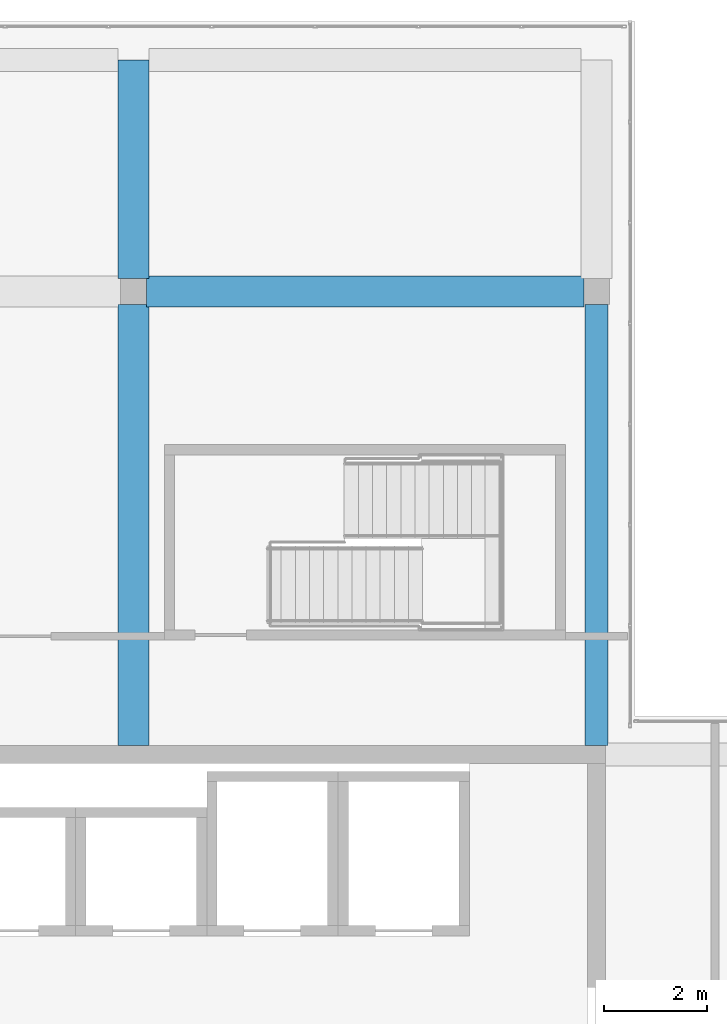
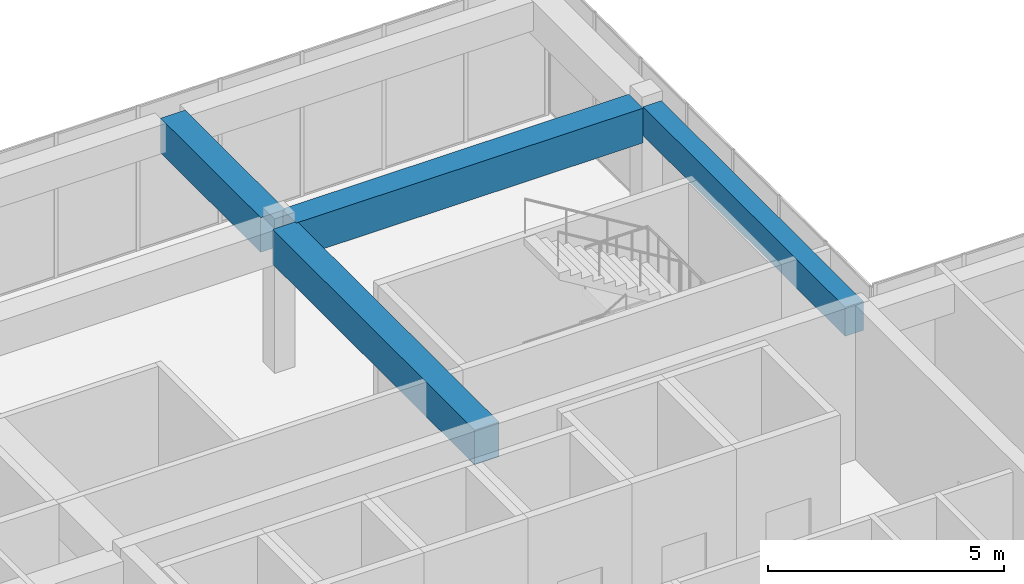
# One storey, part 24 of 34: 4 beams.
"""IFC4 building model written with IfcOpenShell, lengths in metres."""

from ifc_helpers import new_model, si_unit, direction, frame, origin, origin_2d, place, context, subcontext, project, spatial, rectangle, extrude, material, material_profile, profile_set, type_object, element, save


model = new_model("IFC4")

# Units and contexts
model_context = context("Model", 3, precision=1e-05, world=origin(), true_north=direction((0.0, 1.0)))
body_context = subcontext(model_context, "Body", "Model", "MODEL_VIEW")
ifc_project = project(units=[si_unit("LENGTHUNIT", "METRE"), si_unit("AREAUNIT", "SQUARE_METRE"), si_unit("VOLUMEUNIT", "CUBIC_METRE"), si_unit("PLANEANGLEUNIT", "RADIAN"), si_unit("MASSUNIT", "GRAM", prefix="KILO")], contexts=[model_context])

# Site, building, storey
site_placement = place(None, origin())
site = spatial("IfcSite", under=ifc_project, at=site_placement, CompositionType="ELEMENT")
building_placement = place(site_placement, origin())
building = spatial("IfcBuilding", under=site, at=building_placement, Name="Tuart Plaza Theatre", CompositionType="ELEMENT")
storey_placement = place(building_placement, frame((0.0, 0.0, 57.5)))
storey = spatial("IfcBuildingStorey", under=building, at=storey_placement, Name="L14", CompositionType="ELEMENT", Elevation=57.5)

# Beams
ifc_material_1 = material(Name="Concrete N40 (40 MPa)", Category="concrete")
ifc_material_profile_1 = material_profile(ifc_material_1, rectangle(XDim=0.449951171875, YDim=0.75, at=origin_2d()), Name="BEAM 450x750 Concrete N40 (40 MPa)")
ifc_profile_set_1 = profile_set([ifc_material_profile_1], Name="Concrete N40 (40 MPa)")
beam_type_1 = type_object("IfcBeamType", Name="BEAM 450x750 Concrete N40 (40 MPa)", PredefinedType="BEAM", material=ifc_profile_set_1)
beam_1_placement = place(storey_placement, frame((141.0, 83.175048828125, 3.375), z_axis=(0.0, 1.0, 0.0), x_axis=(-1.0, 0.0, 0.0)))
element("IfcBeam", 1, at=beam_1_placement, inside=storey, type_object=beam_type_1, Name="RB340", PredefinedType="BEAM", context=body_context, shape_type="SweptSolid", body=[
    extrude(rectangle(XDim=0.449951171875, YDim=0.75, at=origin_2d()), origin(), (0.0, 0.0, 1.0), 8.574951171875),
])
ifc_material_2 = material(Name="Concrete N40 (40 MPa)", Category="concrete")
ifc_material_profile_2 = material_profile(ifc_material_2, rectangle(XDim=0.60009765625, YDim=0.89990234375, at=origin_2d()), Name="BEAM 600x900 Concrete N40 (40 MPa)")
ifc_profile_set_2 = profile_set([ifc_material_profile_2], Name="Concrete N40 (40 MPa)")
beam_type_2 = type_object("IfcBeamType", Name="BEAM 600x900 Concrete N40 (40 MPa)", PredefinedType="BEAM", material=ifc_profile_set_2)
beam_2_placement = place(storey_placement, frame((132.0, 83.175048828125, 3.300048828125), z_axis=(0.0, 1.0, 0.0), x_axis=(-1.0, 0.0, 0.0)))
element("IfcBeam", 2, at=beam_2_placement, inside=storey, type_object=beam_type_2, Name="RB335", PredefinedType="BEAM", context=body_context, shape_type="SweptSolid", body=[
    extrude(rectangle(XDim=0.60009765625, YDim=0.89990234375, at=origin_2d()), origin(), (0.0, 0.0, 1.0), 8.574951171875),
])
beam_3_placement = place(storey_placement, frame((132.0, 92.25, 3.300048828125), z_axis=(0.0, 1.0, 0.0), x_axis=(-1.0, 0.0, 0.0)))
element("IfcBeam", 3, at=beam_3_placement, inside=storey, type_object=beam_type_2, Name="RB336", PredefinedType="BEAM", context=body_context, shape_type="SweptSolid", body=[
    extrude(rectangle(XDim=0.60009765625, YDim=0.89990234375, at=origin_2d()), origin(), (0.0, 0.0, 1.0), 4.25),
])
beam_4_placement = place(storey_placement, frame((132.25, 92.0, 3.300048828125), z_axis=(1.0, 0.0, 0.0), x_axis=(0.0, 1.0, 0.0)))
element("IfcBeam", 4, at=beam_4_placement, inside=storey, type_object=beam_type_2, Name="RB337", PredefinedType="BEAM", context=body_context, shape_type="SweptSolid", body=[
    extrude(rectangle(XDim=0.60009765625, YDim=0.89990234375, at=origin_2d()), origin(), (0.0, 0.0, 1.0), 8.5),
])

save(model, "model.ifc")
